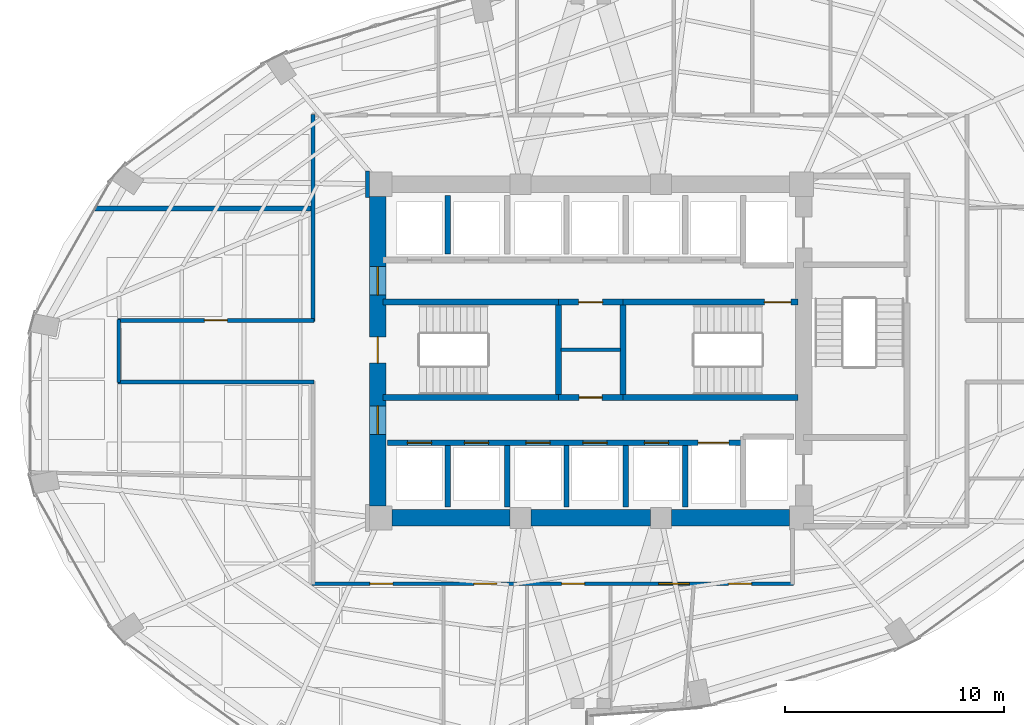
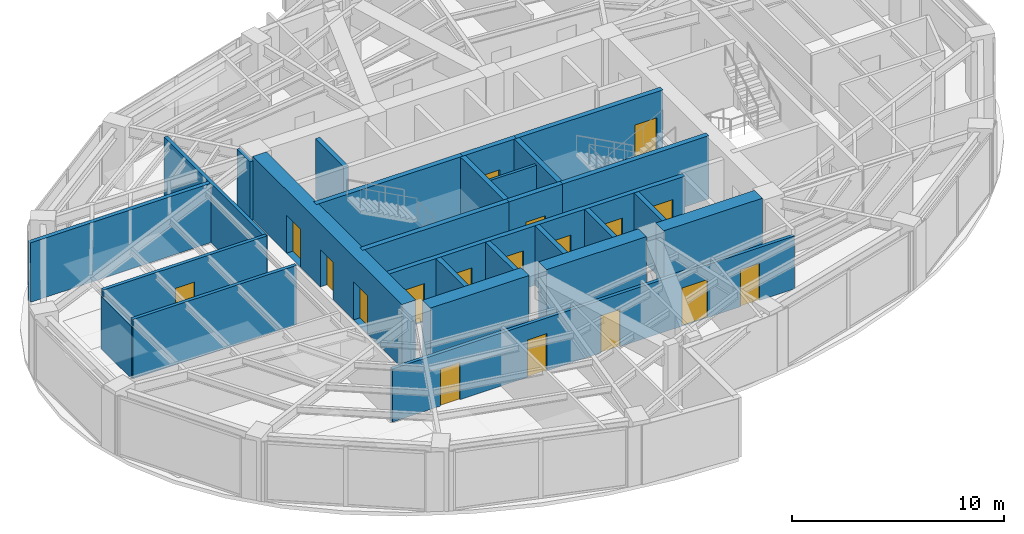
# One storey, part 19 of 23: 27 walls, 18 doors, 18 openings.
"""IFC4 building model written with IfcOpenShell, lengths in metres."""

from ifc_helpers import new_model, si_unit, direction, frame, frame_2d, origin, place, context, subcontext, project, spatial, rectangle, extrude, material, layer, layer_set, type_object, element, fill, save


model = new_model("IFC4")

# Units and contexts
model_context = context("Model", 3, precision=1e-05, world=origin(), true_north=direction((0.0, 1.0)))
body_context = subcontext(model_context, "Body", "Model", "MODEL_VIEW")
ifc_project = project(units=[si_unit("LENGTHUNIT", "METRE"), si_unit("AREAUNIT", "SQUARE_METRE"), si_unit("VOLUMEUNIT", "CUBIC_METRE"), si_unit("PLANEANGLEUNIT", "RADIAN"), si_unit("MASSUNIT", "GRAM", prefix="KILO")], contexts=[model_context])

# Site, building, storey
site_placement = place(None, origin())
site = spatial("IfcSite", under=ifc_project, at=site_placement, CompositionType="ELEMENT")
building_placement = place(site_placement, origin())
building = spatial("IfcBuilding", under=site, at=building_placement, Name="Lazwardi Medical Tower", CompositionType="ELEMENT")
storey_placement = place(building_placement, frame((0.0, 0.0, 85.39208984375)))
storey = spatial("IfcBuildingStorey", under=building, at=storey_placement, Name="L21", CompositionType="ELEMENT", Elevation=85.39208984375)

# Wall
ifc_material_1 = material(Name="Fire-rated gypsum board on steel stud", Category="steel")
ifc_layer_1 = layer(ifc_material_1, 0.179931640625)
ifc_layer_set_1 = layer_set([ifc_layer_1], Name="Fire-rated gypsum board on steel stud")
wall_type_1 = type_object("IfcWallType", Name="WL-COR-180", PredefinedType="PARTITIONING", material=ifc_layer_set_1)
wall_1_placement = place(storey_placement, frame((14.5, 26.56005859375, 0.0), z_axis=(0.0, 0.0, 1.0), x_axis=(0.0, 1.0, 0.0)))
element("IfcWall", 1, at=wall_1_placement, inside=storey, type_object=wall_type_1, Name="L21 Corridor partition 1", PredefinedType="PARTITIONING", context=body_context, shape_type="SweptSolid", body=[
    extrude(rectangle(XDim=2.8798828125, YDim=0.179931640625, at=frame_2d((1.43994140625, 0.0))), origin(), (0.0, 0.0, 1.0), 3.012939453125),
])

# Wall, opening, door
wall_2_placement = place(storey_placement, frame((14.4599609375, 29.39990234375, 0.0), z_axis=(0.0, 0.0, 1.0), x_axis=(1.0, 0.0, 0.0)))
wall_2 = element("IfcWall", 2, at=wall_2_placement, inside=storey, type_object=wall_type_1, Name="L21 Corridor partition 2", PredefinedType="PARTITIONING", context=body_context, shape_type="SweptSolid", body=[
    extrude(rectangle(XDim=8.929931640625, YDim=0.179931640625, at=frame_2d((4.46484375, 0.0))), origin(), (0.0, 0.0, 1.0), 3.427978515625),
])
opening_1_placement = place(wall_2_placement, frame((3.93994140625, 0.0, 0.0)))
opening_1 = element("IfcOpeningElement", 3, at=opening_1_placement, cuts=wall_2, Name="Opening D-L21-019", PredefinedType="OPENING", context=body_context, shape_type="SweptSolid", body=[
    extrude(rectangle(XDim=1.050048828125, YDim=2.14990234375, at=frame_2d((0.52490234375, 1.074951171875))), frame((0.0, 0.099853515625, 0.0), z_axis=(0.0, -1.0, 0.0), x_axis=(1.0, 0.0, 0.0)), (0.0, 0.0, 1.0), 0.199951171875),
])
ifc_material_2 = material(Name="Anti-microbial laminate hospital leaf")
door_type_1 = type_object("IfcDoorType", Name="DR-CLN-1050", OperationType="NOTDEFINED", PredefinedType="DOOR", material=ifc_material_2)
door_1_placement = place(opening_1_placement, origin())
door_1 = element("IfcDoor", 4, at=door_1_placement, inside=storey, type_object=door_type_1, Name="L21 Outpatient Consultation Suite Door 13", OperationType="SINGLE_SWING_RIGHT", OverallHeight=2.14990234375, OverallWidth=1.050048828125, PredefinedType="DOOR", context=body_context, shape_type="SweptSolid", body=[
    extrude(rectangle(XDim=1.050048828125, YDim=2.14990234375, at=frame_2d((0.52490234375, 1.074951171875))), frame((0.0, 0.02490234375, 0.0), z_axis=(0.0, -1.0, 0.0), x_axis=(1.0, 0.0, 0.0)), (0.0, 0.0, 1.0), 0.050048828125),
])
fill(opening_1, door_1)

# Walls
wall_3_placement = place(storey_placement, frame((23.35009765625, 29.360107421875, 0.0), z_axis=(0.0, 0.0, 1.0), x_axis=(0.0, 1.0, 0.0)))
element("IfcWall", 5, at=wall_3_placement, inside=storey, type_object=wall_type_1, Name="L21 Corridor partition 3", PredefinedType="PARTITIONING", context=body_context, shape_type="SweptSolid", body=[
    extrude(rectangle(XDim=9.429931640625, YDim=0.179931640625, at=frame_2d((4.71484375, 0.0))), origin(), (0.0, 0.0, 1.0), 3.427978515625),
])
wall_4_placement = place(storey_placement, frame((25.830078125, 36.2099609375, 0.0), z_axis=(0.0, 0.0, 1.0), x_axis=(0.0, -1.0, 0.0)))
element("IfcWall", 6, at=wall_4_placement, inside=storey, type_object=wall_type_1, Name="L21 Corridor partition 11", PredefinedType="PARTITIONING", context=body_context, shape_type="SweptSolid", body=[
    extrude(rectangle(XDim=1.219970703125, YDim=0.179931640625, at=frame_2d((0.60986328125, 0.0))), origin(), (0.0, 0.0, 1.0), 3.427978515625),
])

# Wall, openings, doors
wall_5_placement = place(storey_placement, frame((45.239990234375, 17.39990234375, 0.0), z_axis=(0.0, 0.0, 1.0), x_axis=(-1.0, 0.0, 0.0)))
wall_5 = element("IfcWall", 7, at=wall_5_placement, inside=storey, type_object=wall_type_1, Name="L21 Corridor partition 14", PredefinedType="PARTITIONING", context=body_context, shape_type="SweptSolid", body=[
    extrude(rectangle(XDim=21.929931640625, YDim=0.179931640625, at=frame_2d((10.96484375, 0.0))), origin(), (0.0, 0.0, 1.0), 3.052978515625),
])
opening_2_placement = place(wall_5_placement, frame((18.2509765625, 0.0, 0.0)))
opening_2 = element("IfcOpeningElement", 8, at=opening_2_placement, cuts=wall_5, Name="Opening D-L21-007", PredefinedType="OPENING", context=body_context, shape_type="SweptSolid", body=[
    extrude(rectangle(XDim=1.050048828125, YDim=2.14990234375, at=frame_2d((0.52490234375, 1.074951171875))), frame((0.0, 0.099853515625, 0.0), z_axis=(0.0, -1.0, 0.0), x_axis=(1.0, 0.0, 0.0)), (0.0, 0.0, 1.0), 0.199951171875),
])
opening_3_placement = place(wall_5_placement, frame((13.514892578125, 0.0, 0.0)))
opening_3 = element("IfcOpeningElement", 9, at=opening_3_placement, cuts=wall_5, Name="Opening D-L21-008", PredefinedType="OPENING", context=body_context, shape_type="SweptSolid", body=[
    extrude(rectangle(XDim=1.050048828125, YDim=2.14990234375, at=frame_2d((0.52490234375, 1.074951171875))), frame((0.0, 0.099853515625, 0.0), z_axis=(0.0, -1.0, 0.0), x_axis=(1.0, 0.0, 0.0)), (0.0, 0.0, 1.0), 0.199951171875),
])
opening_4_placement = place(wall_5_placement, frame((9.514892578125, 0.0, 0.0)))
opening_4 = element("IfcOpeningElement", 10, at=opening_4_placement, cuts=wall_5, Name="Opening D-L21-009", PredefinedType="OPENING", context=body_context, shape_type="SweptSolid", body=[
    extrude(rectangle(XDim=1.050048828125, YDim=2.14990234375, at=frame_2d((0.52490234375, 1.074951171875))), frame((0.0, 0.099853515625, 0.0), z_axis=(0.0, -1.0, 0.0), x_axis=(1.0, 0.0, 0.0)), (0.0, 0.0, 1.0), 0.199951171875),
])
opening_5_placement = place(wall_5_placement, frame((4.743408203125, 0.0, 0.0)))
opening_5 = element("IfcOpeningElement", 11, at=opening_5_placement, cuts=wall_5, Name="Opening D-L21-010", PredefinedType="OPENING", context=body_context, shape_type="SweptSolid", body=[
    extrude(rectangle(XDim=1.39990234375, YDim=2.199951171875, at=frame_2d((0.699951171875, 1.10009765625))), frame((0.0, 0.099853515625, 0.0), z_axis=(0.0, -1.0, 0.0), x_axis=(1.0, 0.0, 0.0)), (0.0, 0.0, 1.0), 0.199951171875),
])
opening_6_placement = place(wall_5_placement, frame((1.906982421875, 0.0, 0.0)))
opening_6 = element("IfcOpeningElement", 12, at=opening_6_placement, cuts=wall_5, Name="Opening D-L21-011", PredefinedType="OPENING", context=body_context, shape_type="SweptSolid", body=[
    extrude(rectangle(XDim=1.050048828125, YDim=2.14990234375, at=frame_2d((0.52490234375, 1.074951171875))), frame((0.0, 0.099853515625, 0.0), z_axis=(0.0, -1.0, 0.0), x_axis=(1.0, 0.0, 0.0)), (0.0, 0.0, 1.0), 0.199951171875),
])
door_type_2 = type_object("IfcDoorType", Name="DR-BED-1400", OperationType="NOTDEFINED", PredefinedType="DOOR", material=ifc_material_2)
door_2_placement = place(opening_5_placement, origin())
door_2 = element("IfcDoor", 13, at=door_2_placement, inside=storey, type_object=door_type_2, Name="L21 Rehabilitation Gymnasium Door 04", OperationType="SINGLE_SWING_LEFT", OverallHeight=2.199951171875, OverallWidth=1.39990234375, PredefinedType="DOOR", context=body_context, shape_type="SweptSolid", body=[
    extrude(rectangle(XDim=1.39990234375, YDim=2.199951171875, at=frame_2d((0.699951171875, 1.10009765625))), frame((0.0, 0.02490234375, 0.0), z_axis=(0.0, -1.0, 0.0), x_axis=(1.0, 0.0, 0.0)), (0.0, 0.0, 1.0), 0.050048828125),
])
fill(opening_5, door_2)
door_3_placement = place(opening_2_placement, origin())
door_3 = element("IfcDoor", 14, at=door_3_placement, inside=storey, type_object=door_type_1, Name="L21 Outpatient Consultation Suite Door 01", OperationType="SINGLE_SWING_RIGHT", OverallHeight=2.14990234375, OverallWidth=1.050048828125, PredefinedType="DOOR", context=body_context, shape_type="SweptSolid", body=[
    extrude(rectangle(XDim=1.050048828125, YDim=2.14990234375, at=frame_2d((0.52490234375, 1.074951171875))), frame((0.0, 0.02490234375, 0.0), z_axis=(0.0, -1.0, 0.0), x_axis=(1.0, 0.0, 0.0)), (0.0, 0.0, 1.0), 0.050048828125),
])
fill(opening_2, door_3)
door_4_placement = place(opening_3_placement, origin())
door_4 = element("IfcDoor", 15, at=door_4_placement, inside=storey, type_object=door_type_1, Name="L21 Clinical Specialist Office Door 02", OperationType="SINGLE_SWING_LEFT", OverallHeight=2.14990234375, OverallWidth=1.050048828125, PredefinedType="DOOR", context=body_context, shape_type="SweptSolid", body=[
    extrude(rectangle(XDim=1.050048828125, YDim=2.14990234375, at=frame_2d((0.52490234375, 1.074951171875))), frame((0.0, 0.02490234375, 0.0), z_axis=(0.0, -1.0, 0.0), x_axis=(1.0, 0.0, 0.0)), (0.0, 0.0, 1.0), 0.050048828125),
])
fill(opening_3, door_4)
door_5_placement = place(opening_4_placement, origin())
door_5 = element("IfcDoor", 16, at=door_5_placement, inside=storey, type_object=door_type_1, Name="L21 Outpatient Clinic Door 03", OperationType="SINGLE_SWING_RIGHT", OverallHeight=2.14990234375, OverallWidth=1.050048828125, PredefinedType="DOOR", context=body_context, shape_type="SweptSolid", body=[
    extrude(rectangle(XDim=1.050048828125, YDim=2.14990234375, at=frame_2d((0.52490234375, 1.074951171875))), frame((0.0, 0.02490234375, 0.0), z_axis=(0.0, -1.0, 0.0), x_axis=(1.0, 0.0, 0.0)), (0.0, 0.0, 1.0), 0.050048828125),
])
fill(opening_4, door_5)
door_6_placement = place(opening_6_placement, origin())
door_6 = element("IfcDoor", 17, at=door_6_placement, inside=storey, type_object=door_type_1, Name="L21 Outpatient Consultation Suite Door 05", OperationType="SINGLE_SWING_RIGHT", OverallHeight=2.14990234375, OverallWidth=1.050048828125, PredefinedType="DOOR", context=body_context, shape_type="SweptSolid", body=[
    extrude(rectangle(XDim=1.050048828125, YDim=2.14990234375, at=frame_2d((0.52490234375, 1.074951171875))), frame((0.0, 0.02490234375, 0.0), z_axis=(0.0, -1.0, 0.0), x_axis=(1.0, 0.0, 0.0)), (0.0, 0.0, 1.0), 0.050048828125),
])
fill(opening_6, door_6)

# Wall
wall_6_placement = place(storey_placement, frame((23.389892578125, 26.60009765625, 0.0), z_axis=(0.0, 0.0, 1.0), x_axis=(-1.0, 0.0, 0.0)))
element("IfcWall", 18, at=wall_6_placement, inside=storey, type_object=wall_type_1, Name="L21 Corridor partition 16", PredefinedType="PARTITIONING", context=body_context, shape_type="SweptSolid", body=[
    extrude(rectangle(XDim=8.929931640625, YDim=0.179931640625, at=frame_2d((4.46484375, 0.0))), origin(), (0.0, 0.0, 1.0), 3.427978515625),
])

# Wall, openings, doors
ifc_material_3 = material(Name="Concrete C70/85", Category="concrete")
ifc_layer_2 = layer(ifc_material_3, 0.75)
ifc_layer_set_2 = layer_set([ifc_layer_2], Name="Concrete C70/85")
wall_type_2 = type_object("IfcWallType", Name="WL-CORE-750", PredefinedType="SHEAR", material=ifc_layer_set_2)
wall_7_placement = place(storey_placement, frame((26.300048828125, 20.949951171875, 0.0), z_axis=(0.0, 0.0, 1.0), x_axis=(0.0, 1.0, 0.0)))
wall_7 = element("IfcWall", 19, at=wall_7_placement, inside=storey, type_object=wall_type_2, Name="Core wall CW-S2 west L21", PredefinedType="SHEAR", context=body_context, shape_type="SweptSolid", body=[
    extrude(rectangle(XDim=14.10009765625, YDim=0.75, at=frame_2d((7.050048828125, 0.0))), origin(), (0.0, 0.0, 1.0), 3.64794921875),
])
opening_7_placement = place(wall_7_placement, frame((6.5, 0.0, 0.0)))
opening_7 = element("IfcOpeningElement", 20, at=opening_7_placement, cuts=wall_7, Name="Opening D-L21-020", PredefinedType="OPENING", context=body_context, shape_type="SweptSolid", body=[
    extrude(rectangle(XDim=1.199951171875, YDim=2.14990234375, at=frame_2d((0.60009765625, 1.074951171875))), frame((0.0, 0.385009765625, 0.0), z_axis=(0.0, -1.0, 0.0), x_axis=(1.0, 0.0, 0.0)), (0.0, 0.0, 1.0), 0.77001953125),
])
opening_8_placement = place(wall_7_placement, frame((9.60009765625, 0.0, 0.0)))
opening_8 = element("IfcOpeningElement", 21, at=opening_8_placement, cuts=wall_7, Name="Opening D-L21-005", PredefinedType="OPENING", context=body_context, shape_type="SweptSolid", body=[
    extrude(rectangle(XDim=1.300048828125, YDim=2.199951171875, at=frame_2d((0.64990234375, 1.10009765625))), frame((0.0, 0.385009765625, 0.0), z_axis=(0.0, -1.0, 0.0), x_axis=(1.0, 0.0, 0.0)), (0.0, 0.0, 1.0), 0.77001953125),
])
opening_9_placement = place(wall_7_placement, frame((3.260009765625, 0.0, 0.0)))
opening_9 = element("IfcOpeningElement", 22, at=opening_9_placement, cuts=wall_7, Name="Opening D-L21-006", PredefinedType="OPENING", context=body_context, shape_type="SweptSolid", body=[
    extrude(rectangle(XDim=1.300048828125, YDim=2.199951171875, at=frame_2d((0.64990234375, 1.10009765625))), frame((0.0, 0.385009765625, 0.0), z_axis=(0.0, -1.0, 0.0), x_axis=(1.0, 0.0, 0.0)), (0.0, 0.0, 1.0), 0.77001953125),
])
ifc_material_4 = material(Name="Fire-rated steel leaf and frame", Category="steel")
door_type_3 = type_object("IfcDoorType", Name="DR-FFL-1300", OperationType="NOTDEFINED", PredefinedType="DOOR", material=ifc_material_4)
door_7_placement = place(opening_8_placement, origin())
door_7 = element("IfcDoor", 23, at=door_7_placement, inside=storey, type_object=door_type_3, Name="L21 North Lift Lobby Door", OperationType="SINGLE_SWING_LEFT", OverallHeight=2.199951171875, OverallWidth=1.300048828125, PredefinedType="DOOR", context=body_context, shape_type="SweptSolid", body=[
    extrude(rectangle(XDim=1.300048828125, YDim=2.199951171875, at=frame_2d((0.64990234375, 1.10009765625))), frame((0.0, 0.02490234375, 0.0), z_axis=(0.0, -1.0, 0.0), x_axis=(1.0, 0.0, 0.0)), (0.0, 0.0, 1.0), 0.050048828125),
])
fill(opening_8, door_7)
door_8_placement = place(opening_9_placement, origin())
door_8 = element("IfcDoor", 24, at=door_8_placement, inside=storey, type_object=door_type_3, Name="L21 South Lift Lobby Door", OperationType="SINGLE_SWING_RIGHT", OverallHeight=2.199951171875, OverallWidth=1.300048828125, PredefinedType="DOOR", context=body_context, shape_type="SweptSolid", body=[
    extrude(rectangle(XDim=1.300048828125, YDim=2.199951171875, at=frame_2d((0.64990234375, 1.10009765625))), frame((0.0, 0.02490234375, 0.0), z_axis=(0.0, -1.0, 0.0), x_axis=(1.0, 0.0, 0.0)), (0.0, 0.0, 1.0), 0.050048828125),
])
fill(opening_9, door_8)
door_type_4 = type_object("IfcDoorType", Name="DR-STR-1200", OperationType="NOTDEFINED", PredefinedType="DOOR", material=ifc_material_4)
door_9_placement = place(opening_7_placement, origin())
door_9 = element("IfcDoor", 25, at=door_9_placement, inside=storey, type_object=door_type_4, Name="L21 Exit Stair ST1 Door", OperationType="SINGLE_SWING_LEFT", OverallHeight=2.14990234375, OverallWidth=1.199951171875, PredefinedType="DOOR", context=body_context, shape_type="SweptSolid", body=[
    extrude(rectangle(XDim=1.199951171875, YDim=2.14990234375, at=frame_2d((0.60009765625, 1.074951171875))), frame((0.0, 0.02490234375, 0.0), z_axis=(0.0, -1.0, 0.0), x_axis=(1.0, 0.0, 0.0)), (0.0, 0.0, 1.0), 0.050048828125),
])
fill(opening_7, door_9)

# Walls
wall_8_placement = place(storey_placement, frame((26.949951171875, 20.39990234375, 0.0), z_axis=(0.0, 0.0, 1.0), x_axis=(1.0, 0.0, 0.0)))
element("IfcWall", 26, at=wall_8_placement, inside=storey, type_object=wall_type_2, Name="Core wall CW-S2 S1 L21", PredefinedType="SHEAR", context=body_context, shape_type="SweptSolid", body=[
    extrude(rectangle(XDim=5.375, YDim=0.75, at=frame_2d((2.6875, 0.0))), origin(), (0.0, 0.0, 1.0), 3.64794921875),
])
wall_9_placement = place(storey_placement, frame((33.27490234375, 20.39990234375, 0.0), z_axis=(0.0, 0.0, 1.0), x_axis=(1.0, 0.0, 0.0)))
element("IfcWall", 27, at=wall_9_placement, inside=storey, type_object=wall_type_2, Name="Core wall CW-S2 S2 L21", PredefinedType="SHEAR", context=body_context, shape_type="SweptSolid", body=[
    extrude(rectangle(XDim=5.4501953125, YDim=0.75, at=frame_2d((2.72509765625, 0.0))), origin(), (0.0, 0.0, 1.0), 3.64794921875),
])
wall_10_placement = place(storey_placement, frame((39.675048828125, 20.39990234375, 0.0), z_axis=(0.0, 0.0, 1.0), x_axis=(1.0, 0.0, 0.0)))
element("IfcWall", 28, at=wall_10_placement, inside=storey, type_object=wall_type_2, Name="Core wall CW-S2 S3 L21", PredefinedType="SHEAR", context=body_context, shape_type="SweptSolid", body=[
    extrude(rectangle(XDim=5.375, YDim=0.75, at=frame_2d((2.6875, 0.0))), origin(), (0.0, 0.0, 1.0), 3.64794921875),
])

# Wall, openings, doors
ifc_material_5 = material(Name="Autoclaved aerated concrete blockwork", Category="masonry")
ifc_layer_3 = layer(ifc_material_5, 0.25)
ifc_layer_set_3 = layer_set([ifc_layer_3], Name="Autoclaved aerated concrete blockwork")
wall_type_3 = type_object("IfcWallType", Name="WL-SHAFT-250", PredefinedType="SOLIDWALL", material=ifc_layer_set_3)
wall_11_placement = place(storey_placement, frame((26.75, 23.830078125, 0.0), z_axis=(0.0, 0.0, 1.0), x_axis=(1.0, 0.0, 0.0)))
wall_11 = element("IfcWall", 29, at=wall_11_placement, inside=storey, type_object=wall_type_3, Name="L21 South lift bank front wall", PredefinedType="SOLIDWALL", context=body_context, shape_type="SweptSolid", body=[
    extrude(rectangle(XDim=16.199951171875, YDim=0.25, at=frame_2d((8.10009765625, 0.0))), origin(), (0.0, 0.0, 1.0), 3.427978515625),
])
opening_10_placement = place(wall_11_placement, frame((0.89990234375, 0.0, 0.0)))
opening_10 = element("IfcOpeningElement", 30, at=opening_10_placement, cuts=wall_11, Name="Opening LD-L21-006", PredefinedType="OPENING", context=body_context, shape_type="SweptSolid", body=[
    extrude(rectangle(XDim=1.10009765625, YDim=2.199951171875, at=frame_2d((0.550048828125, 1.10009765625))), frame((0.0, 0.135009765625, 0.0), z_axis=(0.0, -1.0, 0.0), x_axis=(1.0, 0.0, 0.0)), (0.0, 0.0, 1.0), 0.27001953125),
])
opening_11_placement = place(wall_11_placement, frame((3.5, 0.0, 0.0)))
opening_11 = element("IfcOpeningElement", 31, at=opening_11_placement, cuts=wall_11, Name="Opening LD-L21-007", PredefinedType="OPENING", context=body_context, shape_type="SweptSolid", body=[
    extrude(rectangle(XDim=1.10009765625, YDim=2.199951171875, at=frame_2d((0.550048828125, 1.10009765625))), frame((0.0, 0.135009765625, 0.0), z_axis=(0.0, -1.0, 0.0), x_axis=(1.0, 0.0, 0.0)), (0.0, 0.0, 1.0), 0.27001953125),
])
opening_12_placement = place(wall_11_placement, frame((6.300048828125, 0.0, 0.0)))
opening_12 = element("IfcOpeningElement", 32, at=opening_12_placement, cuts=wall_11, Name="Opening LD-L21-010", PredefinedType="OPENING", context=body_context, shape_type="SweptSolid", body=[
    extrude(rectangle(XDim=1.10009765625, YDim=2.199951171875, at=frame_2d((0.550048828125, 1.10009765625))), frame((0.0, 0.135009765625, 0.0), z_axis=(0.0, -1.0, 0.0), x_axis=(1.0, 0.0, 0.0)), (0.0, 0.0, 1.0), 0.27001953125),
])
opening_13_placement = place(wall_11_placement, frame((8.89990234375, 0.0, 0.0)))
opening_13 = element("IfcOpeningElement", 33, at=opening_13_placement, cuts=wall_11, Name="Opening LD-L21-011", PredefinedType="OPENING", context=body_context, shape_type="SweptSolid", body=[
    extrude(rectangle(XDim=1.10009765625, YDim=2.199951171875, at=frame_2d((0.550048828125, 1.10009765625))), frame((0.0, 0.135009765625, 0.0), z_axis=(0.0, -1.0, 0.0), x_axis=(1.0, 0.0, 0.0)), (0.0, 0.0, 1.0), 0.27001953125),
])
opening_14_placement = place(wall_11_placement, frame((11.699951171875, 0.0, 0.0)))
opening_14 = element("IfcOpeningElement", 34, at=opening_14_placement, cuts=wall_11, Name="Opening LD-L21-014", PredefinedType="OPENING", context=body_context, shape_type="SweptSolid", body=[
    extrude(rectangle(XDim=1.10009765625, YDim=2.199951171875, at=frame_2d((0.550048828125, 1.10009765625))), frame((0.0, 0.135009765625, 0.0), z_axis=(0.0, -1.0, 0.0), x_axis=(1.0, 0.0, 0.0)), (0.0, 0.0, 1.0), 0.27001953125),
])
opening_15_placement = place(wall_11_placement, frame((14.14990234375, 0.0, 0.0)))
opening_15 = element("IfcOpeningElement", 35, at=opening_15_placement, cuts=wall_11, Name="Opening LD-L21-003", PredefinedType="OPENING", context=body_context, shape_type="SweptSolid", body=[
    extrude(rectangle(XDim=1.39990234375, YDim=2.300048828125, at=frame_2d((0.699951171875, 1.14990234375))), frame((0.0, 0.135009765625, 0.0), z_axis=(0.0, -1.0, 0.0), x_axis=(1.0, 0.0, 0.0)), (0.0, 0.0, 1.0), 0.27001953125),
])
ifc_material_6 = material(Name="Brushed bronze stainless steel landing door", Category="steel")
door_type_5 = type_object("IfcDoorType", Name="DR-LFT-1100", OperationType="NOTDEFINED", PredefinedType="DOOR", material=ifc_material_6)
door_10_placement = place(opening_10_placement, origin())
door_10 = element("IfcDoor", 36, at=door_10_placement, inside=storey, type_object=door_type_5, Name="L21 Lift Landing Door PL-03", OperationType="SLIDING_TO_LEFT", OverallHeight=2.199951171875, OverallWidth=1.10009765625, PredefinedType="DOOR", context=body_context, shape_type="SweptSolid", body=[
    extrude(rectangle(XDim=1.10009765625, YDim=2.199951171875, at=frame_2d((0.550048828125, 1.10009765625))), frame((0.0, 0.02490234375, 0.0), z_axis=(0.0, -1.0, 0.0), x_axis=(1.0, 0.0, 0.0)), (0.0, 0.0, 1.0), 0.050048828125),
])
fill(opening_10, door_10)
door_11_placement = place(opening_11_placement, origin())
door_11 = element("IfcDoor", 37, at=door_11_placement, inside=storey, type_object=door_type_5, Name="L21 Lift Landing Door PL-04", OperationType="SLIDING_TO_LEFT", OverallHeight=2.199951171875, OverallWidth=1.10009765625, PredefinedType="DOOR", context=body_context, shape_type="SweptSolid", body=[
    extrude(rectangle(XDim=1.10009765625, YDim=2.199951171875, at=frame_2d((0.550048828125, 1.10009765625))), frame((0.0, 0.02490234375, 0.0), z_axis=(0.0, -1.0, 0.0), x_axis=(1.0, 0.0, 0.0)), (0.0, 0.0, 1.0), 0.050048828125),
])
fill(opening_11, door_11)
door_12_placement = place(opening_12_placement, origin())
door_12 = element("IfcDoor", 38, at=door_12_placement, inside=storey, type_object=door_type_5, Name="L21 Lift Landing Door PL-07", OperationType="SLIDING_TO_LEFT", OverallHeight=2.199951171875, OverallWidth=1.10009765625, PredefinedType="DOOR", context=body_context, shape_type="SweptSolid", body=[
    extrude(rectangle(XDim=1.10009765625, YDim=2.199951171875, at=frame_2d((0.550048828125, 1.10009765625))), frame((0.0, 0.02490234375, 0.0), z_axis=(0.0, -1.0, 0.0), x_axis=(1.0, 0.0, 0.0)), (0.0, 0.0, 1.0), 0.050048828125),
])
fill(opening_12, door_12)
door_13_placement = place(opening_13_placement, origin())
door_13 = element("IfcDoor", 39, at=door_13_placement, inside=storey, type_object=door_type_5, Name="L21 Lift Landing Door PL-08", OperationType="SLIDING_TO_LEFT", OverallHeight=2.199951171875, OverallWidth=1.10009765625, PredefinedType="DOOR", context=body_context, shape_type="SweptSolid", body=[
    extrude(rectangle(XDim=1.10009765625, YDim=2.199951171875, at=frame_2d((0.550048828125, 1.10009765625))), frame((0.0, 0.02490234375, 0.0), z_axis=(0.0, -1.0, 0.0), x_axis=(1.0, 0.0, 0.0)), (0.0, 0.0, 1.0), 0.050048828125),
])
fill(opening_13, door_13)
door_14_placement = place(opening_14_placement, origin())
door_14 = element("IfcDoor", 40, at=door_14_placement, inside=storey, type_object=door_type_5, Name="L21 Lift Landing Door PL-11", OperationType="SLIDING_TO_LEFT", OverallHeight=2.199951171875, OverallWidth=1.10009765625, PredefinedType="DOOR", context=body_context, shape_type="SweptSolid", body=[
    extrude(rectangle(XDim=1.10009765625, YDim=2.199951171875, at=frame_2d((0.550048828125, 1.10009765625))), frame((0.0, 0.02490234375, 0.0), z_axis=(0.0, -1.0, 0.0), x_axis=(1.0, 0.0, 0.0)), (0.0, 0.0, 1.0), 0.050048828125),
])
fill(opening_14, door_14)
ifc_material_7 = material(Name="Brushed stainless steel bed-lift landing door", Category="steel")
door_type_6 = type_object("IfcDoorType", Name="DR-LFT-1400", OperationType="NOTDEFINED", PredefinedType="DOOR", material=ifc_material_7)
door_15_placement = place(opening_15_placement, origin())
door_15 = element("IfcDoor", 41, at=door_15_placement, inside=storey, type_object=door_type_6, Name="L21 Lift Landing Door FL-03", OperationType="SLIDING_TO_LEFT", OverallHeight=2.300048828125, OverallWidth=1.39990234375, PredefinedType="DOOR", context=body_context, shape_type="SweptSolid", body=[
    extrude(rectangle(XDim=1.39990234375, YDim=2.300048828125, at=frame_2d((0.699951171875, 1.14990234375))), frame((0.0, 0.02490234375, 0.0), z_axis=(0.0, -1.0, 0.0), x_axis=(1.0, 0.0, 0.0)), (0.0, 0.0, 1.0), 0.050048828125),
])
fill(opening_15, door_15)

# Walls
wall_12_placement = place(storey_placement, frame((29.5, 32.419921875, 0.0), z_axis=(0.0, 0.0, 1.0), x_axis=(0.0, 1.0, 0.0)))
element("IfcWall", 42, at=wall_12_placement, inside=storey, type_object=wall_type_3, Name="L21 North hoistway divider", PredefinedType="SOLIDWALL", context=body_context, shape_type="SweptSolid", body=[
    extrude(rectangle(XDim=2.68017578125, YDim=0.25, at=frame_2d((1.340087890625, 0.0))), origin(), (0.0, 0.0, 1.0), 3.427978515625),
])
for number, where, z_axis, x_axis, name in (
    (43, (29.5, 20.89990234375, 0.0), (0.0, 0.0, 1.0), (0.0, 1.0, 0.0), "L21 South hoistway divider"),
    (44, (32.199951171875, 20.89990234375, 0.0), (0.0, 0.0, 1.0), (0.0, 1.0, 0.0), "L21 South hoistway divider"),
    (45, (34.89990234375, 20.89990234375, 0.0), (0.0, 0.0, 1.0), (0.0, 1.0, 0.0), "L21 South hoistway divider"),
    (46, (37.60009765625, 20.89990234375, 0.0), (0.0, 0.0, 1.0), (0.0, 1.0, 0.0), "L21 South hoistway divider"),
    (47, (40.300048828125, 20.89990234375, 0.0), (0.0, 0.0, 1.0), (0.0, 1.0, 0.0), "L21 South hoistway divider"),
):
    element("IfcWall", number, at=place(storey_placement, frame(where, z_axis=z_axis, x_axis=x_axis)), inside=storey, type_object=wall_type_3, Name=name, PredefinedType="SOLIDWALL", context=body_context, shape_type="SweptSolid", body=[
        extrude(rectangle(XDim=2.800048828125, YDim=0.25, at=frame_2d((1.39990234375, 0.0))), origin(), (0.0, 0.0, 1.0), 3.427978515625),
    ])
ifc_layer_4 = layer(ifc_material_1, 0.219970703125)
ifc_layer_set_4 = layer_set([ifc_layer_4], Name="Fire-rated gypsum board on steel stud")
wall_type_4 = type_object("IfcWallType", Name="WL-SMK-220", PredefinedType="PARTITIONING", material=ifc_layer_set_4)
wall_13_placement = place(storey_placement, frame((13.426025390625, 34.5, 0.0), z_axis=(0.0, 0.0, 1.0), x_axis=(1.0, 0.0, 0.0)))
element("IfcWall", 48, at=wall_13_placement, inside=storey, type_object=wall_type_4, Name="L21 Room partition 2", PredefinedType="PARTITIONING", context=body_context, shape_type="SweptSolid", body=[
    extrude(rectangle(XDim=9.833984375, YDim=0.219970703125, at=frame_2d((4.9169921875, 0.0))), origin(), (0.0, 0.0, 1.0), 3.427978515625),
])
ifc_material_8 = material(Name="Concrete C50/60", Category="concrete")
ifc_layer_5 = layer(ifc_material_8, 0.27001953125)
ifc_layer_set_5 = layer_set([ifc_layer_5], Name="Concrete C50/60")
wall_type_5 = type_object("IfcWallType", Name="WL-STR-250", PredefinedType="SHEAR", material=ifc_layer_set_5)
wall_14_placement = place(storey_placement, frame((26.550048828125, 30.235107421875, 0.0), z_axis=(0.0, 0.0, 1.0), x_axis=(1.0, 0.0, 0.0)))
element("IfcWall", 49, at=wall_14_placement, inside=storey, type_object=wall_type_5, Name="L21 ST1 North shear shaft wall SW-S1", PredefinedType="SHEAR", context=body_context, shape_type="SweptSolid", body=[
    extrude(rectangle(XDim=7.98486328125, YDim=0.27001953125, at=frame_2d((3.992431640625, 0.0))), origin(), (0.0, 0.0, 1.0), 3.64794921875),
])

# Wall, opening, door
wall_15_placement = place(storey_placement, frame((34.534912109375, 30.235107421875, 0.0), z_axis=(0.0, 0.0, 1.0), x_axis=(1.0, 0.0, 0.0)))
wall_15 = element("IfcWall", 50, at=wall_15_placement, inside=storey, type_object=wall_type_5, Name="L21 Core service North shear wall SW-S1", PredefinedType="SHEAR", context=body_context, shape_type="SweptSolid", body=[
    extrude(rectangle(XDim=2.93017578125, YDim=0.27001953125, at=frame_2d((1.465087890625, 0.0))), origin(), (0.0, 0.0, 1.0), 3.64794921875),
])
opening_16_placement = place(wall_15_placement, frame((0.9150390625, 0.0, 0.0)))
opening_16 = element("IfcOpeningElement", 51, at=opening_16_placement, cuts=wall_15, Name="Opening D-L21-002", PredefinedType="OPENING", context=body_context, shape_type="SweptSolid", body=[
    extrude(rectangle(XDim=1.10009765625, YDim=2.14990234375, at=frame_2d((0.550048828125, 1.074951171875))), frame((0.0, 0.14501953125, 0.0), z_axis=(0.0, -1.0, 0.0), x_axis=(1.0, 0.0, 0.0)), (0.0, 0.0, 1.0), 0.2900390625),
])
door_type_7 = type_object("IfcDoorType", Name="DR-PLT-1100", OperationType="NOTDEFINED", PredefinedType="DOOR", material=ifc_material_4)
door_16_placement = place(opening_16_placement, origin())
door_16 = element("IfcDoor", 52, at=door_16_placement, inside=storey, type_object=door_type_7, Name="L21 Electrical Room Door", OperationType="SINGLE_SWING_RIGHT", OverallHeight=2.14990234375, OverallWidth=1.10009765625, PredefinedType="DOOR", context=body_context, shape_type="SweptSolid", body=[
    extrude(rectangle(XDim=1.10009765625, YDim=2.14990234375, at=frame_2d((0.550048828125, 1.074951171875))), frame((0.0, 0.02490234375, 0.0), z_axis=(0.0, -1.0, 0.0), x_axis=(1.0, 0.0, 0.0)), (0.0, 0.0, 1.0), 0.050048828125),
])
fill(opening_16, door_16)

wall_16_placement = place(storey_placement, frame((37.465087890625, 30.235107421875, 0.0), z_axis=(0.0, 0.0, 1.0), x_axis=(1.0, 0.0, 0.0)))
wall_16 = element("IfcWall", 53, at=wall_16_placement, inside=storey, type_object=wall_type_5, Name="L21 ST2 North shear shaft wall SW-S1", PredefinedType="SHEAR", context=body_context, shape_type="SweptSolid", body=[
    extrude(rectangle(XDim=7.98486328125, YDim=0.27001953125, at=frame_2d((3.992431640625, 0.0))), origin(), (0.0, 0.0, 1.0), 3.64794921875),
])
opening_17_placement = place(wall_16_placement, frame((6.455078125, 0.0, 0.0)))
opening_17 = element("IfcOpeningElement", 54, at=opening_17_placement, cuts=wall_16, Name="Opening D-L21-021", PredefinedType="OPENING", context=body_context, shape_type="SweptSolid", body=[
    extrude(rectangle(XDim=1.199951171875, YDim=2.14990234375, at=frame_2d((0.60009765625, 1.074951171875))), frame((0.0, 0.14501953125, 0.0), z_axis=(0.0, -1.0, 0.0), x_axis=(1.0, 0.0, 0.0)), (0.0, 0.0, 1.0), 0.2900390625),
])
door_17_placement = place(opening_17_placement, origin())
door_17 = element("IfcDoor", 55, at=door_17_placement, inside=storey, type_object=door_type_4, Name="L21 Exit Stair ST2 Door", OperationType="SINGLE_SWING_RIGHT", OverallHeight=2.14990234375, OverallWidth=1.199951171875, PredefinedType="DOOR", context=body_context, shape_type="SweptSolid", body=[
    extrude(rectangle(XDim=1.199951171875, YDim=2.14990234375, at=frame_2d((0.60009765625, 1.074951171875))), frame((0.0, 0.02490234375, 0.0), z_axis=(0.0, -1.0, 0.0), x_axis=(1.0, 0.0, 0.0)), (0.0, 0.0, 1.0), 0.050048828125),
])
fill(opening_17, door_17)

# Wall
wall_17_placement = place(storey_placement, frame((26.550048828125, 25.885009765625, 0.0), z_axis=(0.0, 0.0, 1.0), x_axis=(1.0, 0.0, 0.0)))
element("IfcWall", 56, at=wall_17_placement, inside=storey, type_object=wall_type_5, Name="L21 ST1 South shear shaft wall SW-S1", PredefinedType="SHEAR", context=body_context, shape_type="SweptSolid", body=[
    extrude(rectangle(XDim=7.98486328125, YDim=0.27001953125, at=frame_2d((3.992431640625, 0.0))), origin(), (0.0, 0.0, 1.0), 3.64794921875),
])

# Wall, opening, door
wall_18_placement = place(storey_placement, frame((34.534912109375, 25.885009765625, 0.0), z_axis=(0.0, 0.0, 1.0), x_axis=(1.0, 0.0, 0.0)))
wall_18 = element("IfcWall", 57, at=wall_18_placement, inside=storey, type_object=wall_type_5, Name="L21 Core service South shear wall SW-S1", PredefinedType="SHEAR", context=body_context, shape_type="SweptSolid", body=[
    extrude(rectangle(XDim=2.93017578125, YDim=0.27001953125, at=frame_2d((1.465087890625, 0.0))), origin(), (0.0, 0.0, 1.0), 3.64794921875),
])
opening_18_placement = place(wall_18_placement, frame((0.93994140625, 0.0, 0.0)))
opening_18 = element("IfcOpeningElement", 58, at=opening_18_placement, cuts=wall_18, Name="Opening D-L21-001", PredefinedType="OPENING", context=body_context, shape_type="SweptSolid", body=[
    extrude(rectangle(XDim=1.050048828125, YDim=2.14990234375, at=frame_2d((0.52490234375, 1.074951171875))), frame((0.0, 0.14501953125, 0.0), z_axis=(0.0, -1.0, 0.0), x_axis=(1.0, 0.0, 0.0)), (0.0, 0.0, 1.0), 0.2900390625),
])
door_18_placement = place(opening_18_placement, origin())
door_18 = element("IfcDoor", 59, at=door_18_placement, inside=storey, type_object=door_type_1, Name="L21 Dirty Sluice Door", OperationType="SINGLE_SWING_LEFT", OverallHeight=2.14990234375, OverallWidth=1.050048828125, PredefinedType="DOOR", context=body_context, shape_type="SweptSolid", body=[
    extrude(rectangle(XDim=1.050048828125, YDim=2.14990234375, at=frame_2d((0.52490234375, 1.074951171875))), frame((0.0, 0.02490234375, 0.0), z_axis=(0.0, -1.0, 0.0), x_axis=(1.0, 0.0, 0.0)), (0.0, 0.0, 1.0), 0.050048828125),
])
fill(opening_18, door_18)

# Walls
wall_19_placement = place(storey_placement, frame((37.465087890625, 25.885009765625, 0.0), z_axis=(0.0, 0.0, 1.0), x_axis=(1.0, 0.0, 0.0)))
element("IfcWall", 60, at=wall_19_placement, inside=storey, type_object=wall_type_5, Name="L21 ST2 South shear shaft wall SW-S1", PredefinedType="SHEAR", context=body_context, shape_type="SweptSolid", body=[
    extrude(rectangle(XDim=7.98486328125, YDim=0.27001953125, at=frame_2d((3.992431640625, 0.0))), origin(), (0.0, 0.0, 1.0), 3.64794921875),
])
for number, where, z_axis, x_axis, name in (
    (61, (34.534912109375, 26.02001953125, 0.0), (0.0, 0.0, 1.0), (0.0, 1.0, 0.0), "L21 ST1 East shear shaft wall SW-S1"),
    (62, (37.465087890625, 26.02001953125, 0.0), (0.0, 0.0, 1.0), (0.0, 1.0, 0.0), "L21 ST2 West shear shaft wall SW-S1"),
):
    element("IfcWall", number, at=place(storey_placement, frame(where, z_axis=z_axis, x_axis=x_axis)), inside=storey, type_object=wall_type_5, Name=name, PredefinedType="SHEAR", context=body_context, shape_type="SweptSolid", body=[
        extrude(rectangle(XDim=4.080078125, YDim=0.27001953125, at=frame_2d((2.0400390625, 0.0))), origin(), (0.0, 0.0, 1.0), 3.64794921875),
    ])
ifc_material_9 = material(Name="Acoustic gypsum board partition")
ifc_layer_6 = layer(ifc_material_9, 0.14990234375)
ifc_layer_set_6 = layer_set([ifc_layer_6], Name="Acoustic gypsum board partition")
wall_type_6 = type_object("IfcWallType", Name="WL-WRD-150", PredefinedType="PARTITIONING", material=ifc_layer_set_6)
wall_20_placement = place(storey_placement, frame((34.64990234375, 28.06005859375, 0.0), z_axis=(0.0, 0.0, 1.0), x_axis=(1.0, 0.0, 0.0)))
element("IfcWall", 63, at=wall_20_placement, inside=storey, type_object=wall_type_6, Name="L21 Core service divider", PredefinedType="PARTITIONING", context=body_context, shape_type="SweptSolid", body=[
    extrude(rectangle(XDim=2.7001953125, YDim=0.14990234375, at=frame_2d((1.35009765625, 0.0))), origin(), (0.0, 0.0, 1.0), 3.427978515625),
])

save(model, "model.ifc")
